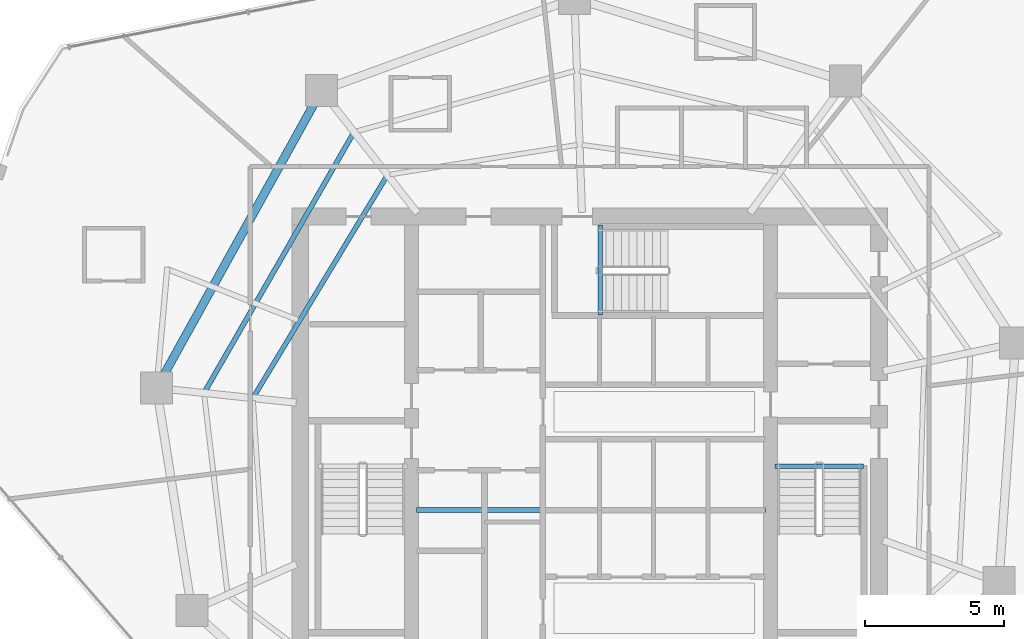
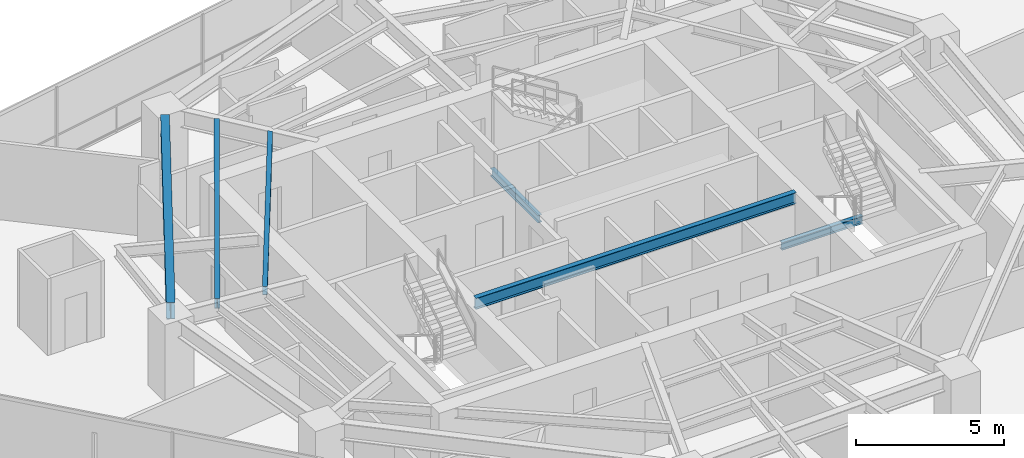
# One storey, part 9 of 27: 6 beams.
"""IFC4 building model written with IfcOpenShell, lengths in metres."""

from ifc_helpers import new_model, si_unit, direction, frame, origin, origin_2d, place, context, subcontext, project, spatial, i_section, extrude, material, material_profile, profile_set, type_object, element, save


model = new_model("IFC4")

# Units and contexts
model_context = context("Model", 3, precision=1e-05, world=origin(), true_north=direction((0.0, 1.0)))
body_context = subcontext(model_context, "Body", "Model", "MODEL_VIEW")
ifc_project = project(units=[si_unit("LENGTHUNIT", "METRE"), si_unit("AREAUNIT", "SQUARE_METRE"), si_unit("VOLUMEUNIT", "CUBIC_METRE"), si_unit("PLANEANGLEUNIT", "RADIAN"), si_unit("MASSUNIT", "GRAM", prefix="KILO")], contexts=[model_context])

# Site, building, storey
site_placement = place(None, origin())
site = spatial("IfcSite", under=ifc_project, at=site_placement, CompositionType="ELEMENT")
building_placement = place(site_placement, origin())
building = spatial("IfcBuilding", under=site, at=building_placement, Name="Qarnah Convention Tower", CompositionType="ELEMENT")
storey_placement = place(building_placement, frame((0.0, 0.0, 107.39990234375)))
storey = spatial("IfcBuildingStorey", under=building, at=storey_placement, Name="L28", CompositionType="ELEMENT", Elevation=107.39990234375)

# Beams
ifc_material = material(Name="Structural steel S355JR", Category="steel")
ifc_material_profile_1 = material_profile(ifc_material, i_section(OverallWidth=0.19189453125, OverallDepth=0.464111328125, WebThickness=0.010986328125, FlangeThickness=0.01806640625, at=origin_2d()), Name="W460X89")
ifc_profile_set_1 = profile_set([ifc_material_profile_1], Name="Structural steel S355JR")
beam_type_1 = type_object("IfcBeamType", Name="BM-CANT-W460A", PredefinedType="BEAM", material=ifc_profile_set_1)
beam_1_placement = place(storey_placement, frame((30.97998046875, 23.64990234375, 2.93798828125), z_axis=(1.0, 0.0, 0.0), x_axis=(0.0, 1.0, 0.0)))
element("IfcBeam", 1, at=beam_1_placement, inside=storey, type_object=beam_type_1, Name="L28 beam BM-L28-KC1", PredefinedType="BEAM", context=body_context, shape_type="SweptSolid", body=[
    extrude(i_section(OverallWidth=0.19189453125, OverallDepth=0.464111328125, WebThickness=0.010986328125, FlangeThickness=0.01806640625, at=origin_2d()), origin(), (0.0, 0.0, 1.0), 12.5400390625),
])
ifc_material_profile_2 = material_profile(ifc_material, i_section(OverallWidth=0.166015625, OverallDepth=0.31201171875, WebThickness=0.007080078125, FlangeThickness=0.010986328125, at=origin_2d()), Name="W310X45")
ifc_profile_set_2 = profile_set([ifc_material_profile_2], Name="Structural steel S355JR")
beam_type_2 = type_object("IfcBeamType", Name="BM-JST-W310", PredefinedType="JOIST", material=ifc_profile_set_2)
beam_2_placement = place(storey_placement, frame((43.860107421875, 25.217041015625, -0.156005859375), z_axis=(1.0, 0.0, 0.0), x_axis=(0.0, 1.0, 0.0)))
element("IfcBeam", 2, at=beam_2_placement, inside=storey, type_object=beam_type_2, Name="L28 stair landing trimmer beam BM-L28-ST2-TRM", PredefinedType="BEAM", context=body_context, shape_type="SweptSolid", body=[
    extrude(i_section(OverallWidth=0.166015625, OverallDepth=0.31201171875, WebThickness=0.007080078125, FlangeThickness=0.010986328125, at=origin_2d()), origin(), (0.0, 0.0, 1.0), 3.179931640625),
])
beam_3_placement = place(storey_placement, frame((37.5830078125, 30.659912109375, -0.156005859375), z_axis=(0.0, 1.0, 0.0), x_axis=(-1.0, 0.0, 0.0)))
element("IfcBeam", 3, at=beam_3_placement, inside=storey, type_object=beam_type_2, Name="L28 stair landing trimmer beam BM-L28-ST3-TRM", PredefinedType="BEAM", context=body_context, shape_type="SweptSolid", body=[
    extrude(i_section(OverallWidth=0.166015625, OverallDepth=0.31201171875, WebThickness=0.007080078125, FlangeThickness=0.010986328125, at=origin_2d()), origin(), (0.0, 0.0, 1.0), 3.239990234375),
])
ifc_material_profile_3 = material_profile(ifc_material, i_section(OverallWidth=0.172119140625, OverallDepth=0.35595703125, WebThickness=0.007080078125, FlangeThickness=0.011962890625, at=origin_2d()), Name="W360X51")
ifc_profile_set_3 = profile_set([ifc_material_profile_3], Name="Structural steel S355JR")
beam_type_3 = type_object("IfcBeamType", Name="BM-JST-W360", PredefinedType="JOIST", material=ifc_profile_set_3)
beam_4_placement = place(storey_placement, frame((29.89111328125, 35.618896484375, 2.9921875), z_axis=(-0.516661946576, -0.856189484262, 0.0), x_axis=(0.856189484262, -0.516661946576, 0.0)))
element("IfcBeam", 4, at=beam_4_placement, inside=storey, type_object=beam_type_3, Name="L28 joist BM-L28-IJST-04", PredefinedType="JOIST", context=body_context, shape_type="SweptSolid", body=[
    extrude(i_section(OverallWidth=0.172119140625, OverallDepth=0.35595703125, WebThickness=0.007080078125, FlangeThickness=0.011962890625, at=origin_2d()), origin(), (0.0, 0.0, 1.0), 9.191650390625),
])
ifc_material_profile_4 = material_profile(ifc_material, i_section(OverallWidth=0.177978515625, OverallDepth=0.407958984375, WebThickness=0.008056640625, FlangeThickness=0.012939453125, at=origin_2d()), Name="W410X60")
ifc_profile_set_4 = profile_set([ifc_material_profile_4], Name="Structural steel S355JR")
beam_type_4 = type_object("IfcBeamType", Name="BM-JST-W410", PredefinedType="JOIST", material=ifc_profile_set_4)
beam_5_placement = place(storey_placement, frame((28.68896484375, 37.157958984375, 2.966064453125), z_axis=(-0.498526739612, -0.866874321855, 0.0), x_axis=(0.866874321855, -0.498526739612, 0.0)))
element("IfcBeam", 5, at=beam_5_placement, inside=storey, type_object=beam_type_4, Name="L28 joist BM-L28-SJST-04", PredefinedType="JOIST", context=body_context, shape_type="SweptSolid", body=[
    extrude(i_section(OverallWidth=0.177978515625, OverallDepth=0.407958984375, WebThickness=0.008056640625, FlangeThickness=0.012939453125, at=origin_2d()), origin(), (0.0, 0.0, 1.0), 10.63916015625),
])
ifc_material_profile_5 = material_profile(ifc_material, i_section(OverallWidth=0.300048828125, OverallDepth=0.699951171875, WebThickness=0.01708984375, FlangeThickness=0.031982421875, at=origin_2d()), Name="HEB700")
ifc_profile_set_5 = profile_set([ifc_material_profile_5], Name="Structural steel S355JR")
beam_type_5 = type_object("IfcBeamType", Name="BM-RING-HEB700", PredefinedType="BEAM", material=ifc_profile_set_5)
beam_6_placement = place(storey_placement, frame((27.291015625, 38.238037109375, 2.820068359375), z_axis=(-0.484800448222, -0.874624791212, 0.0), x_axis=(0.874624791212, -0.484800448222, 0.0)))
element("IfcBeam", 6, at=beam_6_placement, inside=storey, type_object=beam_type_5, Name="L28 beam BM-L28-SPN-04", PredefinedType="BEAM", context=body_context, shape_type="SweptSolid", body=[
    extrude(i_section(OverallWidth=0.300048828125, OverallDepth=0.699951171875, WebThickness=0.01708984375, FlangeThickness=0.031982421875, at=origin_2d()), origin(), (0.0, 0.0, 1.0), 11.099609375),
])

save(model, "model.ifc")
